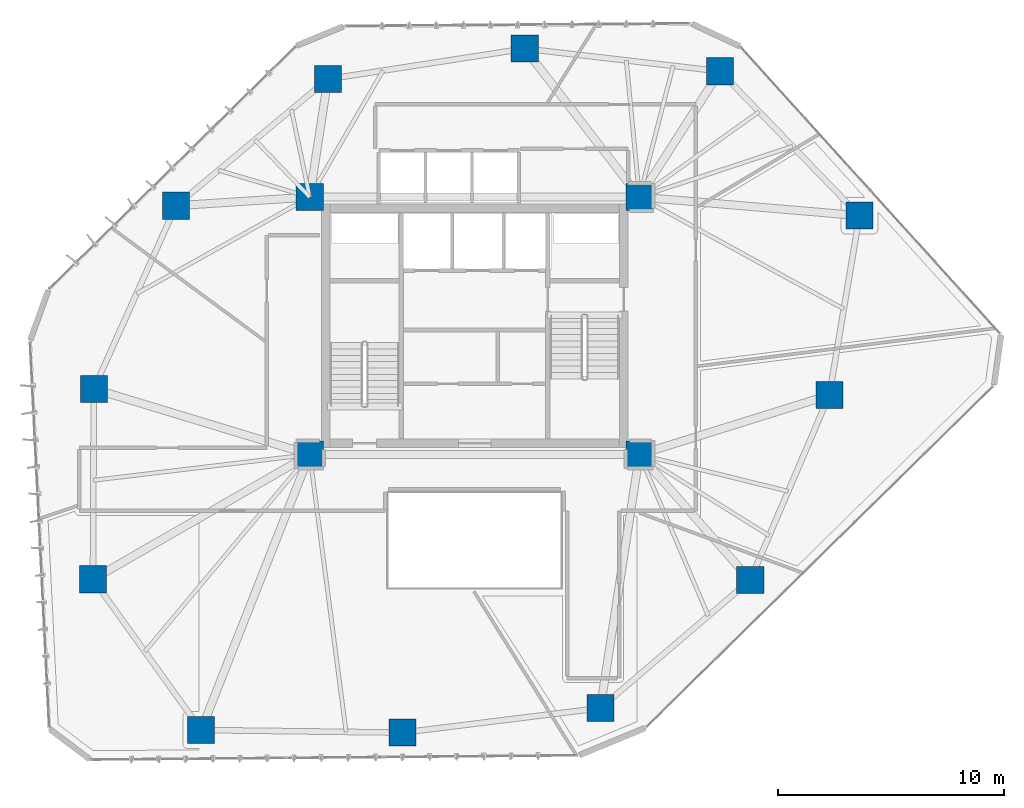
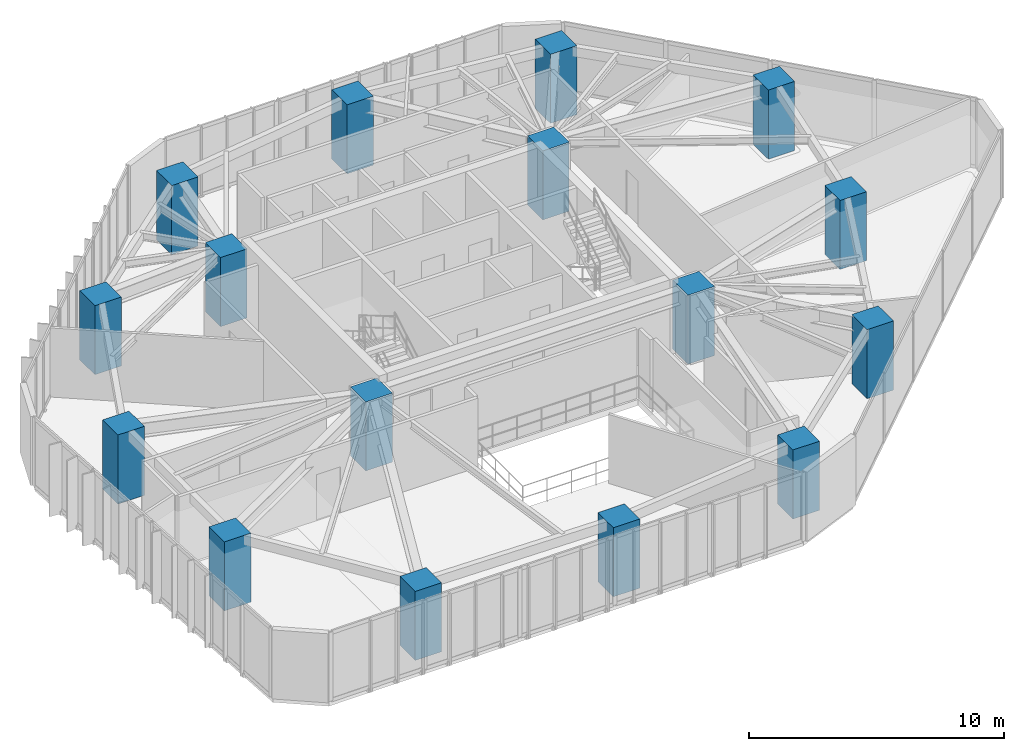
# One storey, part 1 of 21: 16 columns.
"""IFC4 building model written with IfcOpenShell, lengths in metres."""

from ifc_helpers import new_model, si_unit, direction, frame, origin, origin_2d, place, context, subcontext, project, spatial, rectangle, extrude, material, material_profile, profile_set, type_object, element, save


model = new_model("IFC4")

# Units and contexts
model_context = context("Model", 3, precision=1e-05, world=origin(), true_north=direction((0.0, 1.0)))
body_context = subcontext(model_context, "Body", "Model", "MODEL_VIEW")
ifc_project = project(units=[si_unit("LENGTHUNIT", "METRE"), si_unit("AREAUNIT", "SQUARE_METRE"), si_unit("VOLUMEUNIT", "CUBIC_METRE"), si_unit("PLANEANGLEUNIT", "RADIAN"), si_unit("MASSUNIT", "GRAM", prefix="KILO")], contexts=[model_context])

# Site, building, storey
site_placement = place(None, origin())
site = spatial("IfcSite", under=ifc_project, at=site_placement, CompositionType="ELEMENT")
building_placement = place(site_placement, origin())
building = spatial("IfcBuilding", under=site, at=building_placement, Name="Talar Marvaseh", CompositionType="ELEMENT")
storey_placement = place(building_placement, frame((0.0, 0.0, 93.0)))
storey = spatial("IfcBuildingStorey", under=building, at=storey_placement, Name="L23", CompositionType="ELEMENT", Elevation=93.0)

# Columns
ifc_material = material(Name="Concrete C60/75", Category="concrete")
ifc_material_profile = material_profile(ifc_material, rectangle(XDim=1.199951171875, YDim=1.199951171875, at=origin_2d()), Name="RC1200x1200")
ifc_profile_set = profile_set([ifc_material_profile], Name="Concrete C60/75")
column_type = type_object("IfcColumnType", Name="Zone 2 Tube Column RC1200x1200", PredefinedType="COLUMN", material=ifc_profile_set)
for number, where, z_axis, x_axis, name in (
    (1, (36.865966796875, 42.470947265625, 0.0), (0.0, 0.0, 1.0), (1.0, 0.0, 0.0), "L23 Zone 2 Tube Column RC1200x1200"),
    (2, (43.0439453125, 36.075927734375, 0.0), (0.0, 0.0, 1.0), (1.0, 0.0, 0.0), "L23 Zone 2 Tube Column RC1200x1200"),
    (3, (41.708984375, 28.1279296875, 0.0), (0.0, 0.0, 1.0), (1.0, 0.0, 0.0), "L23 Zone 2 Tube Column RC1200x1200"),
    (4, (38.2060546875, 19.94091796875, 0.0), (0.0, 0.0, 1.0), (1.0, 0.0, 0.0), "L23 Zone 2 Tube Column RC1200x1200"),
    (5, (31.570068359375, 14.26806640625, 0.0), (0.0, 0.0, 1.0), (1.0, 0.0, 0.0), "L23 Zone 2 Tube Column RC1200x1200"),
    (6, (22.804931640625, 13.18310546875, 0.0), (0.0, 0.0, 1.0), (1.0, 0.0, 0.0), "L23 Zone 2 Tube Column RC1200x1200"),
    (7, (13.89111328125, 13.299072265625, 0.0), (0.0, 0.0, 1.0), (1.0, 0.0, 0.0), "L23 Zone 2 Tube Column RC1200x1200"),
    (8, (9.10107421875, 19.97705078125, 0.0), (0.0, 0.0, 1.0), (1.0, 0.0, 0.0), "L23 Zone 2 Tube Column RC1200x1200"),
    (9, (9.137939453125, 28.402099609375, 0.0), (0.0, 0.0, 1.0), (1.0, 0.0, 0.0), "L23 Zone 2 Tube Column RC1200x1200"),
    (10, (12.780029296875, 36.51708984375, 0.0), (0.0, 0.0, 1.0), (1.0, 0.0, 0.0), "L23 Zone 2 Tube Column RC1200x1200"),
    (11, (19.5009765625, 42.123046875, 0.0), (0.0, 0.0, 1.0), (1.0, 0.0, 0.0), "L23 Zone 2 Tube Column RC1200x1200"),
    (12, (28.221923828125, 43.471923828125, 0.0), (0.0, 0.0, 1.0), (1.0, 0.0, 0.0), "L23 Zone 2 Tube Column RC1200x1200"),
    (13, (18.699951171875, 25.5, 0.0), (0.0, 0.0, 1.0), (1.0, 0.0, 0.0), "L23 Zone 2 Tube Column RC1200x1200"),
    (14, (33.300048828125, 25.5, 0.0), (0.0, 0.0, 1.0), (1.0, 0.0, 0.0), "L23 Zone 2 Tube Column RC1200x1200"),
    (15, (33.300048828125, 36.89990234375, 0.0), (0.0, 0.0, 1.0), (1.0, 0.0, 0.0), "L23 Zone 2 Tube Column RC1200x1200"),
    (16, (18.699951171875, 36.89990234375, 0.0), (0.0, 0.0, 1.0), (1.0, 0.0, 0.0), "L23 Zone 2 Tube Column RC1200x1200"),
):
    element("IfcColumn", number, at=place(storey_placement, frame(where, z_axis=z_axis, x_axis=x_axis)), inside=storey, type_object=column_type, Name=name, PredefinedType="COLUMN", context=body_context, shape_type="SweptSolid", body=[
        extrude(rectangle(XDim=1.199951171875, YDim=1.199951171875, at=origin_2d()), origin(), (0.0, 0.0, 1.0), 3.31005859375),
    ])

save(model, "model.ifc")
